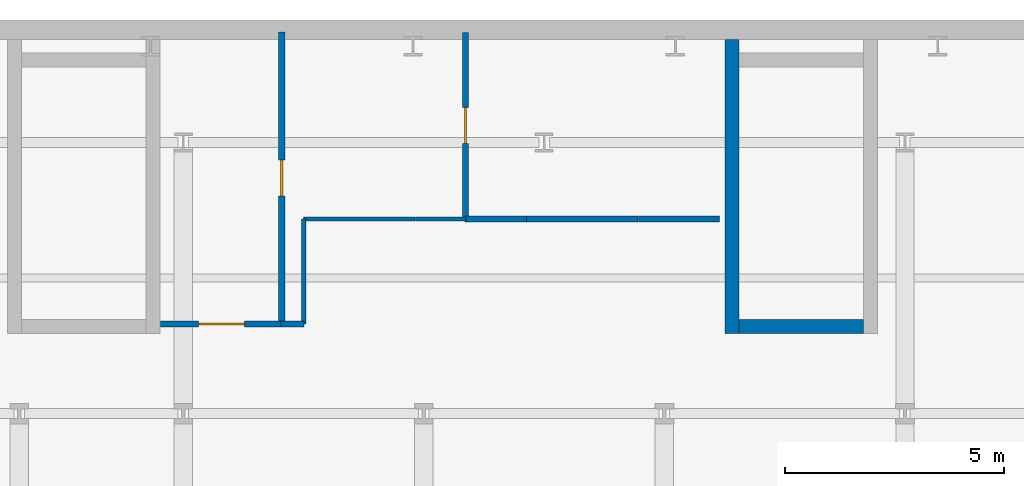
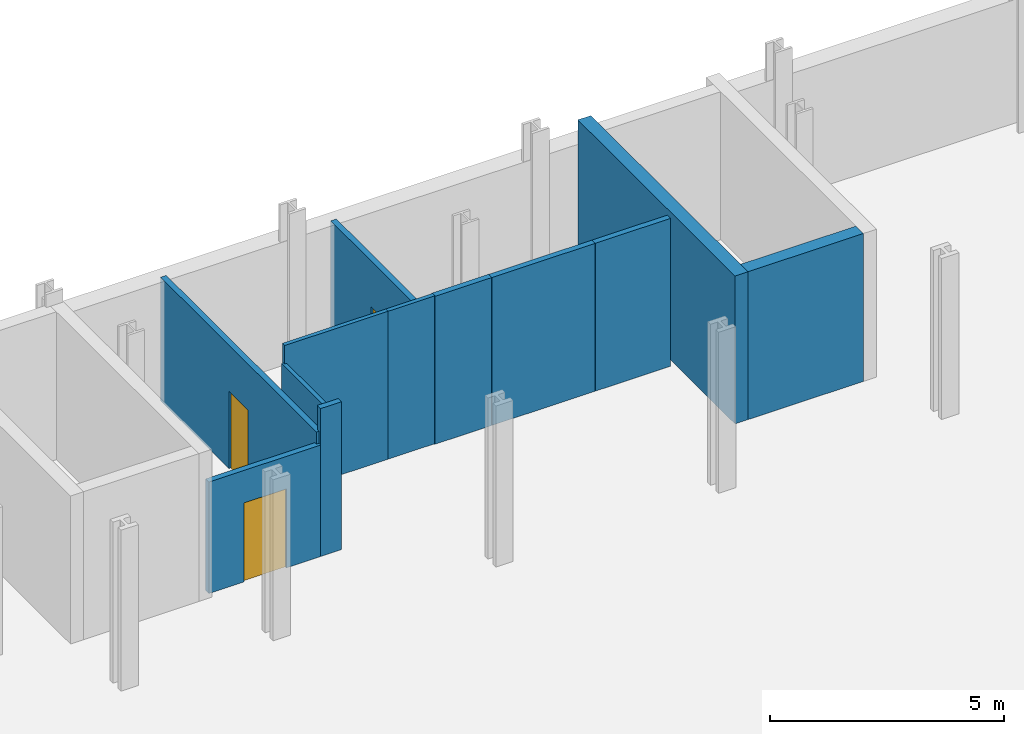
# One storey, part 6 of 12: 12 walls, 3 doors, 3 openings.
"""IFC4 building model written with IfcOpenShell, lengths in metres."""

from ifc_helpers import new_model, si_unit, direction, frame, frame_2d, origin, place, context, subcontext, project, spatial, rectangle, extrude, material, layer, layer_set, type_object, element, fill, save


model = new_model("IFC4")

# Units and contexts
model_context = context("Model", 3, precision=1e-05, world=origin(), true_north=direction((0.0, 1.0)))
body_context = subcontext(model_context, "Body", "Model", "MODEL_VIEW")
ifc_project = project(units=[si_unit("LENGTHUNIT", "METRE"), si_unit("AREAUNIT", "SQUARE_METRE"), si_unit("VOLUMEUNIT", "CUBIC_METRE"), si_unit("PLANEANGLEUNIT", "RADIAN"), si_unit("MASSUNIT", "GRAM", prefix="KILO")], contexts=[model_context])

# Site, building, storey
site_placement = place(None, origin())
site = spatial("IfcSite", under=ifc_project, at=site_placement, CompositionType="ELEMENT")
building_placement = place(site_placement, origin())
building = spatial("IfcBuilding", under=site, at=building_placement, Name="Brevholm Reach", CompositionType="ELEMENT")
storey_placement = place(building_placement, frame((0.0, 0.0, -4.199951171875)))
storey = spatial("IfcBuildingStorey", under=building, at=storey_placement, Name="B01", CompositionType="ELEMENT", Elevation=-4.199951171875)

# Walls
ifc_material_1 = material(Name="Concrete C60/75", Category="concrete")
ifc_layer_1 = layer(ifc_material_1, 0.320068359375)
ifc_layer_set_1 = layer_set([ifc_layer_1], Name="Concrete C60/75")
wall_type_1 = type_object("IfcWallType", Name="WAL-COR-320", PredefinedType="SHEAR", material=ifc_layer_set_1)
wall_1_placement = place(storey_placement, frame((34.2900390625, 32.830078125, 0.0), z_axis=(0.0, 0.0, 1.0), x_axis=(0.0, 1.0, 0.0)))
element("IfcWall", 1, at=wall_1_placement, inside=storey, type_object=wall_type_1, Name="B01 North Stair Plinth Shear Wall ST-S3-W", PredefinedType="SHEAR", context=body_context, shape_type="SweptSolid", body=[
    extrude(rectangle(XDim=6.719970703125, YDim=0.320068359375, at=frame_2d((3.35986328125, 0.0))), origin(), (0.0, 0.0, 1.0), 3.85986328125),
])
wall_2_placement = place(storey_placement, frame((34.449951171875, 32.989990234375, 0.0), z_axis=(0.0, 0.0, 1.0), x_axis=(1.0, 0.0, 0.0)))
element("IfcWall", 2, at=wall_2_placement, inside=storey, type_object=wall_type_1, Name="B01 North Stair Plinth Shear Wall ST-S3-S", PredefinedType="SHEAR", context=body_context, shape_type="SweptSolid", body=[
    extrude(rectangle(XDim=2.85009765625, YDim=0.320068359375, at=frame_2d((1.425048828125, 0.0))), origin(), (0.0, 0.0, 1.0), 3.85986328125),
])
ifc_material_2 = material(Name="Moisture-Resistant Acoustic Gypsum Stud Partition 100 mm", Category="gypsum")
ifc_layer_2 = layer(ifc_material_2, 0.10009765625)
ifc_layer_set_2 = layer_set([ifc_layer_2], Name="Moisture-Resistant Acoustic Gypsum Stud Partition 100 mm")
wall_type_2 = type_object("IfcWallType", Name="WAL-PRT-100", PredefinedType="PARTITIONING", material=ifc_layer_set_2)
wall_3_placement = place(storey_placement, frame((24.5, 35.449951171875, 0.0), z_axis=(0.0, 0.0, 1.0), x_axis=(1.0, 0.0, 0.0)))
element("IfcWall", 3, at=wall_3_placement, inside=storey, type_object=wall_type_2, Name="B01 Internal Partition 014", PredefinedType="PARTITIONING", context=body_context, shape_type="SweptSolid", body=[
    extrude(rectangle(XDim=2.550048828125, YDim=0.10009765625, at=frame_2d((1.27490234375, 0.0))), origin(), (0.0, 0.0, 1.0), 3.85986328125),
])
wall_4_placement = place(storey_placement, frame((24.5, 33.053955078125, 0.0), z_axis=(0.0, 0.0, 1.0), x_axis=(0.0, 1.0, 0.0)))
element("IfcWall", 4, at=wall_4_placement, inside=storey, type_object=wall_type_2, Name="B01 Internal Partition 015", PredefinedType="PARTITIONING", context=body_context, shape_type="SweptSolid", body=[
    extrude(rectangle(XDim=2.39599609375, YDim=0.10009765625, at=frame_2d((1.197998046875, 0.0))), origin(), (0.0, 0.0, 1.0), 3.3779296875),
])
wall_5_placement = place(storey_placement, frame((27.053955078125, 35.449951171875, 0.0), z_axis=(0.0, 0.0, 1.0), x_axis=(1.0, 0.0, 0.0)))
element("IfcWall", 5, at=wall_5_placement, inside=storey, type_object=wall_type_2, Name="B01 Internal Partition 016", PredefinedType="PARTITIONING", context=body_context, shape_type="SweptSolid", body=[
    extrude(rectangle(XDim=1.1572265625, YDim=0.10009765625, at=frame_2d((0.57861328125, 0.0))), origin(), (0.0, 0.0, 1.0), 3.85986328125),
])
ifc_material_3 = material(Name="Twin-Stud Acoustic Fire-Rated Gypsum Partition 140 mm", Category="gypsum")
ifc_layer_3 = layer(ifc_material_3, 0.139892578125)
ifc_layer_set_3 = layer_set([ifc_layer_3], Name="Twin-Stud Acoustic Fire-Rated Gypsum Partition 140 mm")
wall_type_3 = type_object("IfcWallType", Name="WAL-PRT-140", PredefinedType="PARTITIONING", material=ifc_layer_set_3)
wall_6_placement = place(storey_placement, frame((23.98876953125, 33.050048828125, 0.0), z_axis=(0.0, 0.0, 1.0), x_axis=(1.0, 0.0, 0.0)))
element("IfcWall", 6, at=wall_6_placement, inside=storey, type_object=wall_type_3, Name="B01 Internal Partition 010", PredefinedType="PARTITIONING", context=body_context, shape_type="SweptSolid", body=[
    extrude(rectangle(XDim=0.5185546875, YDim=0.139892578125, at=frame_2d((0.25927734375, 0.0))), origin(), (0.0, 0.0, 1.0), 3.85986328125),
])

# Wall, opening, door
wall_7_placement = place(storey_placement, frame((21.22998046875, 33.050048828125, 0.0), z_axis=(0.0, 0.0, 1.0), x_axis=(1.0, 0.0, 0.0)))
wall_7 = element("IfcWall", 7, at=wall_7_placement, inside=storey, type_object=wall_type_3, Name="B01 Internal Partition 011", PredefinedType="PARTITIONING", context=body_context, shape_type="SweptSolid", body=[
    extrude(rectangle(XDim=2.77734375, YDim=0.139892578125, at=frame_2d((1.388671875, 0.0))), origin(), (0.0, 0.0, 1.0), 2.908447265625),
])
opening_1_placement = place(wall_7_placement, frame((0.86376953125, 0.0, 0.0)))
opening_1 = element("IfcOpeningElement", 8, at=opening_1_placement, cuts=wall_7, Name="Opening FD-01", PredefinedType="OPENING", context=body_context, shape_type="SweptSolid", body=[
    extrude(rectangle(XDim=1.050048828125, YDim=2.06005859375, at=frame_2d((0.52490234375, 1.030029296875))), frame((0.0, 0.079833984375, 0.0), z_axis=(0.0, -1.0, 0.0), x_axis=(1.0, 0.0, 0.0)), (0.0, 0.0, 1.0), 0.159912109375),
])
ifc_material_4 = material(Name="Hardwood-Lipped Steel-Core Fire and Smoke Door", Category="steel")
door_type_1 = type_object("IfcDoorType", Name="DOR-INT-FD60S", OperationType="NOTDEFINED", PredefinedType="DOOR", material=ifc_material_4)
door_1_placement = place(opening_1_placement, origin())
door_1 = element("IfcDoor", 9, at=door_1_placement, inside=storey, type_object=door_type_1, Name="B01 Internal Door 005", OperationType="SINGLE_SWING_LEFT", OverallHeight=2.06005859375, OverallWidth=1.050048828125, PredefinedType="DOOR", context=body_context, shape_type="SweptSolid", body=[
    extrude(rectangle(XDim=1.050048828125, YDim=2.06005859375, at=frame_2d((0.52490234375, 1.030029296875))), frame((0.0, 0.02490234375, 0.0), z_axis=(0.0, -1.0, 0.0), x_axis=(1.0, 0.0, 0.0)), (0.0, 0.0, 1.0), 0.050048828125),
])
fill(opening_1, door_1)

# Walls
wall_8_placement = place(storey_placement, frame((29.60009765625, 35.449951171875, 0.0), z_axis=(0.0, 0.0, 1.0), x_axis=(1.0, 0.0, 0.0)))
element("IfcWall", 10, at=wall_8_placement, inside=storey, type_object=wall_type_3, Name="B01 Internal Partition 012", PredefinedType="PARTITIONING", context=body_context, shape_type="SweptSolid", body=[
    extrude(rectangle(XDim=2.5498046875, YDim=0.139892578125, at=frame_2d((1.27490234375, 0.0))), origin(), (0.0, 0.0, 1.0), 3.85986328125),
])
wall_9_placement = place(storey_placement, frame((32.154052734375, 35.449951171875, 0.0), z_axis=(0.0, 0.0, 1.0), x_axis=(1.0, 0.0, 0.0)))
element("IfcWall", 11, at=wall_9_placement, inside=storey, type_object=wall_type_3, Name="B01 Internal Partition 013", PredefinedType="PARTITIONING", context=body_context, shape_type="SweptSolid", body=[
    extrude(rectangle(XDim=1.857177734375, YDim=0.139892578125, at=frame_2d((0.9287109375, 0.0))), origin(), (0.0, 0.0, 1.0), 3.85986328125),
])
wall_10_placement = place(storey_placement, frame((28.192626953125, 35.449951171875, 0.0), z_axis=(0.0, 0.0, 1.0), x_axis=(1.0, 0.0, 0.0)))
element("IfcWall", 12, at=wall_10_placement, inside=storey, type_object=wall_type_3, Name="B01 Internal Partition 017", PredefinedType="PARTITIONING", context=body_context, shape_type="SweptSolid", body=[
    extrude(rectangle(XDim=1.4033203125, YDim=0.139892578125, at=frame_2d((0.70166015625, 0.0))), origin(), (0.0, 0.0, 1.0), 3.85986328125),
])

# Wall, opening, door
wall_11_placement = place(storey_placement, frame((28.199951171875, 35.4541015625, 0.0), z_axis=(0.0, 0.0, 1.0), x_axis=(0.0, 1.0, 0.0)))
wall_11 = element("IfcWall", 13, at=wall_11_placement, inside=storey, type_object=wall_type_3, Name="B01 Internal Partition 021", PredefinedType="PARTITIONING", context=body_context, shape_type="SweptSolid", body=[
    extrude(rectangle(XDim=4.265869140625, YDim=0.139892578125, at=frame_2d((2.1328125, 0.0))), origin(), (0.0, 0.0, 1.0), 3.22265625),
])
opening_2_placement = place(wall_11_placement, frame((1.722900390625, 0.0, 0.0)))
opening_2 = element("IfcOpeningElement", 14, at=opening_2_placement, cuts=wall_11, Name="Opening ID-02", PredefinedType="OPENING", context=body_context, shape_type="SweptSolid", body=[
    extrude(rectangle(XDim=0.820068359375, YDim=2.02001953125, at=frame_2d((0.41015625, 1.010009765625))), frame((0.0, 0.079833984375, 0.0), z_axis=(0.0, -1.0, 0.0), x_axis=(1.0, 0.0, 0.0)), (0.0, 0.0, 1.0), 0.159912109375),
])
ifc_material_5 = material(Name="Moisture-Resistant Painted Timber Fire-Rated Riser and Service Door", Category="wood")
door_type_2 = type_object("IfcDoorType", Name="DOR-SRV-820", OperationType="NOTDEFINED", PredefinedType="DOOR", material=ifc_material_5)
door_2_placement = place(opening_2_placement, origin())
door_2 = element("IfcDoor", 15, at=door_2_placement, inside=storey, type_object=door_type_2, Name="B01 Access Door 009", OperationType="SINGLE_SWING_LEFT", OverallHeight=2.02001953125, OverallWidth=0.820068359375, PredefinedType="DOOR", context=body_context, shape_type="SweptSolid", body=[
    extrude(rectangle(XDim=0.820068359375, YDim=2.02001953125, at=frame_2d((0.41015625, 1.010009765625))), frame((0.0, 0.02490234375, 0.0), z_axis=(0.0, -1.0, 0.0), x_axis=(1.0, 0.0, 0.0)), (0.0, 0.0, 1.0), 0.050048828125),
])
fill(opening_2, door_2)

wall_12_placement = place(storey_placement, frame((24.0, 33.053955078125, 0.0), z_axis=(0.0, 0.0, 1.0), x_axis=(0.0, 1.0, 0.0)))
wall_12 = element("IfcWall", 16, at=wall_12_placement, inside=storey, type_object=wall_type_3, Name="B01 Internal Partition 022", PredefinedType="PARTITIONING", context=body_context, shape_type="SweptSolid", body=[
    extrude(rectangle(XDim=6.666015625, YDim=0.139892578125, at=frame_2d((3.3330078125, 0.0))), origin(), (0.0, 0.0, 1.0), 3.22265625),
])
opening_3_placement = place(wall_12_placement, frame((2.923095703125, 0.0, 0.0)))
opening_3 = element("IfcOpeningElement", 17, at=opening_3_placement, cuts=wall_12, Name="Opening ID-02", PredefinedType="OPENING", context=body_context, shape_type="SweptSolid", body=[
    extrude(rectangle(XDim=0.820068359375, YDim=2.02001953125, at=frame_2d((0.41015625, 1.010009765625))), frame((0.0, 0.079833984375, 0.0), z_axis=(0.0, -1.0, 0.0), x_axis=(1.0, 0.0, 0.0)), (0.0, 0.0, 1.0), 0.159912109375),
])
door_3_placement = place(opening_3_placement, origin())
door_3 = element("IfcDoor", 18, at=door_3_placement, inside=storey, type_object=door_type_2, Name="B01 Access Door 008", OperationType="SINGLE_SWING_RIGHT", OverallHeight=2.02001953125, OverallWidth=0.820068359375, PredefinedType="DOOR", context=body_context, shape_type="SweptSolid", body=[
    extrude(rectangle(XDim=0.820068359375, YDim=2.02001953125, at=frame_2d((0.41015625, 1.010009765625))), frame((0.0, 0.02490234375, 0.0), z_axis=(0.0, -1.0, 0.0), x_axis=(1.0, 0.0, 0.0)), (0.0, 0.0, 1.0), 0.050048828125),
])
fill(opening_3, door_3)

save(model, "model.ifc")
